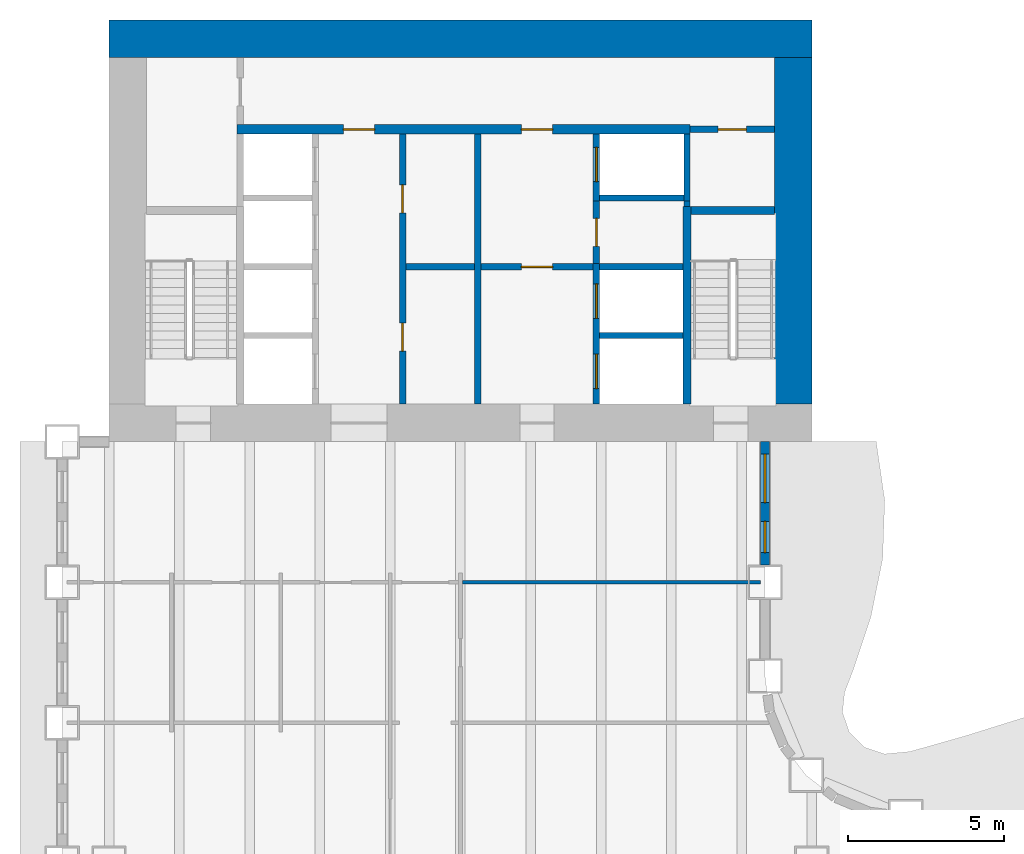
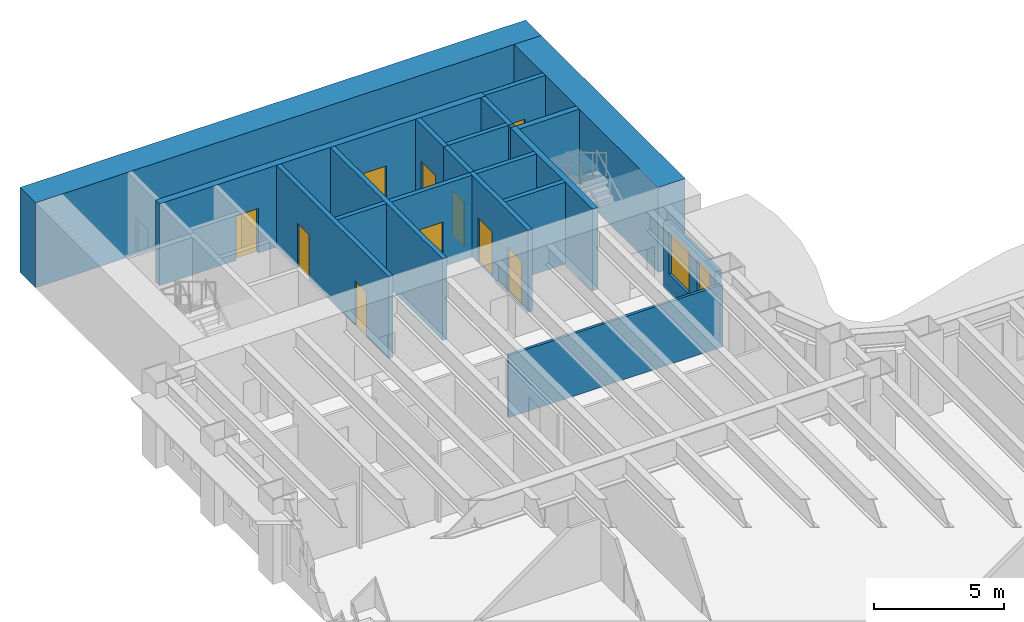
# One storey, part 8 of 15: 20 walls, 10 doors, 2 windows, 12 openings.
"""IFC4 building model written with IfcOpenShell, lengths in metres."""

from ifc_helpers import new_model, si_unit, direction, frame, frame_2d, origin, place, context, subcontext, project, spatial, rectangle, extrude, material, layer, layer_set, type_object, element, fill, save


model = new_model("IFC4")

# Units and contexts
model_context = context("Model", 3, precision=1e-05, world=origin(), true_north=direction((0.0, 1.0)))
body_context = subcontext(model_context, "Body", "Model", "MODEL_VIEW")
ifc_project = project(units=[si_unit("LENGTHUNIT", "METRE"), si_unit("AREAUNIT", "SQUARE_METRE"), si_unit("VOLUMEUNIT", "CUBIC_METRE"), si_unit("PLANEANGLEUNIT", "RADIAN"), si_unit("MASSUNIT", "GRAM", prefix="KILO")], contexts=[model_context])

# Site, building, storey
site_placement = place(None, origin())
site = spatial("IfcSite", under=ifc_project, at=site_placement, CompositionType="ELEMENT")
building_placement = place(site_placement, origin())
building = spatial("IfcBuilding", under=site, at=building_placement, Name="Sennacour Bend Tower", CompositionType="ELEMENT")
storey_placement = place(building_placement, frame((0.0, 0.0, 33.0)))
storey = spatial("IfcBuildingStorey", under=building, at=storey_placement, Name="L06", CompositionType="ELEMENT", Elevation=33.0)

# Walls
ifc_material_1 = material(Name="Concrete C80/95", Category="concrete")
ifc_layer_1 = layer(ifc_material_1, 1.199951171875, Name="Concrete C80/95", Category="concrete")
ifc_layer_set_1 = layer_set([ifc_layer_1], Name="Concrete C80/95")
wall_type_1 = type_object("IfcWallType", Name="Core wall 1200 C80/95", PredefinedType="SHEAR", material=ifc_layer_set_1)
wall_1_placement = place(storey_placement, frame((0.0, 48.89990234375, -0.14990234375), z_axis=(0.0, 0.0, 1.0), x_axis=(1.0, 0.0, 0.0)))
element("IfcWall", 1, at=wall_1_placement, inside=storey, type_object=wall_type_1, Name="Core B wall L06 N", PredefinedType="SHEAR", context=body_context, shape_type="SweptSolid", body=[
    extrude(rectangle(XDim=22.5, YDim=1.199951171875, at=frame_2d((11.25, 0.0))), origin(), (0.0, 0.0, 1.0), 4.0),
])
wall_2_placement = place(storey_placement, frame((21.89990234375, 37.199951171875, -0.14990234375), z_axis=(0.0, 0.0, 1.0), x_axis=(0.0, 1.0, 0.0)))
element("IfcWall", 2, at=wall_2_placement, inside=storey, type_object=wall_type_1, Name="Core B wall L06 E", PredefinedType="SHEAR", context=body_context, shape_type="SweptSolid", body=[
    extrude(rectangle(XDim=11.10009765625, YDim=1.199951171875, at=frame_2d((5.550048828125, 0.0))), origin(), (0.0, 0.0, 1.0), 4.0),
])
ifc_material_2 = material(Name="Plasterboard partition on steel studs", Category="steel")
ifc_layer_2 = layer(ifc_material_2, 0.1201171875, Name="Plasterboard partition on steel studs", Category="steel")
ifc_layer_set_2 = layer_set([ifc_layer_2], Name="Plasterboard partition on steel studs")
wall_type_2 = type_object("IfcWallType", Name="Partition 120", PredefinedType="PARTITIONING", material=ifc_layer_set_2)
wall_3_placement = place(storey_placement, frame((11.31005859375, 31.5, 0.0), z_axis=(0.0, 0.0, 1.0), x_axis=(1.0, 0.0, 0.0)))
element("IfcWall", 3, at=wall_3_placement, inside=storey, type_object=wall_type_2, Name="P-L06-W074ae", PredefinedType="PARTITIONING", context=body_context, shape_type="SweptSolid", body=[
    extrude(rectangle(XDim=9.5400390625, YDim=0.1201171875, at=frame_2d((4.77001953125, 0.0))), origin(), (0.0, 0.0, 1.0), 2.93798828125),
])

# Wall, openings, doors
ifc_material_3 = material(Name="Fire-rated plasterboard partition on steel studs", Category="steel")
ifc_layer_3 = layer(ifc_material_3, 0.199951171875, Name="Fire-rated plasterboard partition on steel studs", Category="steel")
ifc_layer_set_3 = layer_set([ifc_layer_3], Name="Fire-rated plasterboard partition on steel studs")
wall_type_3 = type_object("IfcWallType", Name="Rated partition 200", PredefinedType="PARTITIONING", material=ifc_layer_set_3)
wall_4_placement = place(storey_placement, frame((9.39990234375, 37.199951171875, 0.0), z_axis=(0.0, 0.0, 1.0), x_axis=(0.0, 1.0, 0.0)))
wall_4 = element("IfcWall", 4, at=wall_4_placement, inside=storey, type_object=wall_type_3, Name="P-L06-W014", PredefinedType="PARTITIONING", context=body_context, shape_type="SweptSolid", body=[
    extrude(rectangle(XDim=8.650146484375, YDim=0.199951171875, at=frame_2d((4.3251953125, 0.0))), origin(), (0.0, 0.0, 1.0), 3.85009765625),
])
opening_1_placement = place(wall_4_placement, frame((1.699951171875, 0.0, 0.0)))
opening_1 = element("IfcOpeningElement", 5, at=opening_1_placement, cuts=wall_4, Name="Opening SV", PredefinedType="OPENING", context=body_context, shape_type="SweptSolid", body=[
    extrude(rectangle(XDim=0.89990234375, YDim=2.10009765625, at=frame_2d((0.449951171875, 1.050048828125))), frame((0.0, 0.10986328125, 0.0), z_axis=(0.0, -1.0, 0.0), x_axis=(1.0, 0.0, 0.0)), (0.0, 0.0, 1.0), 0.219970703125),
])
opening_2_placement = place(wall_4_placement, frame((6.125, 0.0, 0.0)))
opening_2 = element("IfcOpeningElement", 6, at=opening_2_placement, cuts=wall_4, Name="Opening SV", PredefinedType="OPENING", context=body_context, shape_type="SweptSolid", body=[
    extrude(rectangle(XDim=0.89990234375, YDim=2.10009765625, at=frame_2d((0.449951171875, 1.050048828125))), frame((0.0, 0.10986328125, 0.0), z_axis=(0.0, -1.0, 0.0), x_axis=(1.0, 0.0, 0.0)), (0.0, 0.0, 1.0), 0.219970703125),
])
ifc_material_4 = material(Name="Painted steel", Category="steel")
door_type_1 = type_object("IfcDoorType", Name="DR-SERVICE-900", OperationType="NOTDEFINED", PredefinedType="DOOR", material=ifc_material_4)
door_1_placement = place(opening_1_placement, origin())
door_1 = element("IfcDoor", 7, at=door_1_placement, inside=storey, type_object=door_type_1, Name="Door", OperationType="SINGLE_SWING_LEFT", OverallHeight=2.10009765625, OverallWidth=0.89990234375, PredefinedType="DOOR", context=body_context, shape_type="SweptSolid", body=[
    extrude(rectangle(XDim=0.89990234375, YDim=2.10009765625, at=frame_2d((0.449951171875, 1.050048828125))), frame((0.0, 0.02490234375, 0.0), z_axis=(0.0, -1.0, 0.0), x_axis=(1.0, 0.0, 0.0)), (0.0, 0.0, 1.0), 0.050048828125),
])
fill(opening_1, door_1)
door_2_placement = place(opening_2_placement, origin())
door_2 = element("IfcDoor", 8, at=door_2_placement, inside=storey, type_object=door_type_1, Name="Door", OperationType="SINGLE_SWING_RIGHT", OverallHeight=2.10009765625, OverallWidth=0.89990234375, PredefinedType="DOOR", context=body_context, shape_type="SweptSolid", body=[
    extrude(rectangle(XDim=0.89990234375, YDim=2.10009765625, at=frame_2d((0.449951171875, 1.050048828125))), frame((0.0, 0.02490234375, 0.0), z_axis=(0.0, -1.0, 0.0), x_axis=(1.0, 0.0, 0.0)), (0.0, 0.0, 1.0), 0.050048828125),
])
fill(opening_2, door_2)

# Wall
wall_5_placement = place(storey_placement, frame((11.800048828125, 37.199951171875, 0.0), z_axis=(0.0, 0.0, 1.0), x_axis=(0.0, 1.0, 0.0)))
element("IfcWall", 9, at=wall_5_placement, inside=storey, type_object=wall_type_3, Name="P-L06-W016", PredefinedType="PARTITIONING", context=body_context, shape_type="SweptSolid", body=[
    extrude(rectangle(XDim=8.650146484375, YDim=0.199951171875, at=frame_2d((4.3251953125, 0.0))), origin(), (0.0, 0.0, 1.0), 3.85009765625),
])

# Wall, opening, door
wall_6_placement = place(storey_placement, frame((15.60009765625, 41.699951171875, 0.0), z_axis=(0.0, 0.0, 1.0), x_axis=(0.0, 1.0, 0.0)))
wall_6 = element("IfcWall", 10, at=wall_6_placement, inside=storey, type_object=wall_type_3, Name="P-L06-W019", PredefinedType="PARTITIONING", context=body_context, shape_type="SweptSolid", body=[
    extrude(rectangle(XDim=2.0, YDim=0.199951171875, at=frame_2d((1.0, 0.0))), origin(), (0.0, 0.0, 1.0), 3.85009765625),
])
opening_3_placement = place(wall_6_placement, frame((0.550048828125, 0.0, 0.0)))
opening_3 = element("IfcOpeningElement", 11, at=opening_3_placement, cuts=wall_6, Name="Opening SV", PredefinedType="OPENING", context=body_context, shape_type="SweptSolid", body=[
    extrude(rectangle(XDim=0.89990234375, YDim=2.10009765625, at=frame_2d((0.449951171875, 1.050048828125))), frame((0.0, 0.10986328125, 0.0), z_axis=(0.0, -1.0, 0.0), x_axis=(1.0, 0.0, 0.0)), (0.0, 0.0, 1.0), 0.219970703125),
])
door_3_placement = place(opening_3_placement, origin())
door_3 = element("IfcDoor", 12, at=door_3_placement, inside=storey, type_object=door_type_1, Name="Door", OperationType="SINGLE_SWING_RIGHT", OverallHeight=2.10009765625, OverallWidth=0.89990234375, PredefinedType="DOOR", context=body_context, shape_type="SweptSolid", body=[
    extrude(rectangle(XDim=0.89990234375, YDim=2.10009765625, at=frame_2d((0.449951171875, 1.050048828125))), frame((0.0, 0.02490234375, 0.0), z_axis=(0.0, -1.0, 0.0), x_axis=(1.0, 0.0, 0.0)), (0.0, 0.0, 1.0), 0.050048828125),
])
fill(opening_3, door_3)

# Walls
wall_7_placement = place(storey_placement, frame((18.5, 43.52490234375, 0.0), z_axis=(0.0, 0.0, 1.0), x_axis=(0.0, 1.0, 0.0)))
element("IfcWall", 13, at=wall_7_placement, inside=storey, type_object=wall_type_3, Name="P-L06-W022", PredefinedType="PARTITIONING", context=body_context, shape_type="SweptSolid", body=[
    extrude(rectangle(XDim=0.175048828125, YDim=0.199951171875, at=frame_2d((0.08740234375, 0.0))), origin(), (0.0, 0.0, 1.0), 3.85009765625),
])
wall_8_placement = place(storey_placement, frame((9.5, 41.60009765625, 0.0), z_axis=(0.0, 0.0, 1.0), x_axis=(1.0, 0.0, 0.0)))
element("IfcWall", 14, at=wall_8_placement, inside=storey, type_object=wall_type_3, Name="P-L06-W079a", PredefinedType="PARTITIONING", context=body_context, shape_type="SweptSolid", body=[
    extrude(rectangle(XDim=2.199951171875, YDim=0.199951171875, at=frame_2d((1.10009765625, 0.0))), origin(), (0.0, 0.0, 1.0), 3.85009765625),
])

# Wall, opening, door
wall_9_placement = place(storey_placement, frame((18.60009765625, 46.0, 0.0), z_axis=(0.0, 0.0, 1.0), x_axis=(1.0, 0.0, 0.0)))
wall_9 = element("IfcWall", 15, at=wall_9_placement, inside=storey, type_object=wall_type_3, Name="P-L06-W086", PredefinedType="PARTITIONING", context=body_context, shape_type="SweptSolid", body=[
    extrude(rectangle(XDim=2.699951171875, YDim=0.199951171875, at=frame_2d((1.35009765625, 0.0))), origin(), (0.0, 0.0, 1.0), 3.85009765625),
])
opening_4_placement = place(wall_9_placement, frame((0.89990234375, 0.0, 0.0)))
opening_4 = element("IfcOpeningElement", 16, at=opening_4_placement, cuts=wall_9, Name="Opening SV", PredefinedType="OPENING", context=body_context, shape_type="SweptSolid", body=[
    extrude(rectangle(XDim=0.89990234375, YDim=2.10009765625, at=frame_2d((0.449951171875, 1.050048828125))), frame((0.0, 0.10986328125, 0.0), z_axis=(0.0, -1.0, 0.0), x_axis=(1.0, 0.0, 0.0)), (0.0, 0.0, 1.0), 0.219970703125),
])
door_4_placement = place(opening_4_placement, origin())
door_4 = element("IfcDoor", 17, at=door_4_placement, inside=storey, type_object=door_type_1, Name="Door", OperationType="SINGLE_SWING_LEFT", OverallHeight=2.10009765625, OverallWidth=0.89990234375, PredefinedType="DOOR", context=body_context, shape_type="SweptSolid", body=[
    extrude(rectangle(XDim=0.89990234375, YDim=2.10009765625, at=frame_2d((0.449951171875, 1.050048828125))), frame((0.0, 0.02490234375, 0.0), z_axis=(0.0, -1.0, 0.0), x_axis=(1.0, 0.0, 0.0)), (0.0, 0.0, 1.0), 0.050048828125),
])
fill(opening_4, door_4)

ifc_layer_4 = layer(ifc_material_3, 0.199951171875, Name="Fire-rated plasterboard partition on steel studs", Category="steel")
ifc_layer_set_4 = layer_set([ifc_layer_4], Name="Fire-rated plasterboard partition on steel studs")
wall_type_4 = type_object("IfcWallType", Name="Rated partition 200 EI 90", PredefinedType="PARTITIONING", material=ifc_layer_set_4)
wall_10_placement = place(storey_placement, frame((11.89990234375, 41.60009765625, 0.0), z_axis=(0.0, 0.0, 1.0), x_axis=(1.0, 0.0, 0.0)))
wall_10 = element("IfcWall", 18, at=wall_10_placement, inside=storey, type_object=wall_type_4, Name="P-L06-W079b", PredefinedType="PARTITIONING", context=body_context, shape_type="SweptSolid", body=[
    extrude(rectangle(XDim=3.60009765625, YDim=0.199951171875, at=frame_2d((1.800048828125, 0.0))), origin(), (0.0, 0.0, 1.0), 3.85009765625),
])
opening_5_placement = place(wall_10_placement, frame((1.300048828125, 0.0, 0.0)))
opening_5 = element("IfcOpeningElement", 19, at=opening_5_placement, cuts=wall_10, Name="Opening FD2", PredefinedType="OPENING", context=body_context, shape_type="SweptSolid", body=[
    extrude(rectangle(XDim=1.0, YDim=2.10009765625, at=frame_2d((0.5, 1.050048828125))), frame((0.0, 0.10986328125, 0.0), z_axis=(0.0, -1.0, 0.0), x_axis=(1.0, 0.0, 0.0)), (0.0, 0.0, 1.0), 0.219970703125),
])
door_type_2 = type_object("IfcDoorType", Name="DR-FFL-1000", OperationType="NOTDEFINED", PredefinedType="DOOR", material=ifc_material_4)
door_5_placement = place(opening_5_placement, origin())
door_5 = element("IfcDoor", 20, at=door_5_placement, inside=storey, type_object=door_type_2, Name="Door", OperationType="SINGLE_SWING_RIGHT", OverallHeight=2.10009765625, OverallWidth=1.0, PredefinedType="DOOR", context=body_context, shape_type="SweptSolid", body=[
    extrude(rectangle(XDim=1.0, YDim=2.10009765625, at=frame_2d((0.5, 1.050048828125))), frame((0.0, 0.02490234375, 0.0), z_axis=(0.0, -1.0, 0.0), x_axis=(1.0, 0.0, 0.0)), (0.0, 0.0, 1.0), 0.050048828125),
])
fill(opening_5, door_5)

# Wall, openings, windows
ifc_material_5 = material(Name="Warm limestone cladding", Category="masonry")
ifc_layer_5 = layer(ifc_material_5, 0.050048828125, Name="Warm limestone cladding", Category="masonry")
ifc_material_6 = material(Name="Precast concrete C40/50", Category="concrete")
ifc_layer_6 = layer(ifc_material_6, 0.25, Name="Precast concrete C40/50", Category="concrete")
ifc_layer_set_5 = layer_set([ifc_layer_5, ifc_layer_6], Name="Precast concrete C40/50 with limestone cladding")
wall_type_5 = type_object("IfcWallType", Name="STONE-CLAD PRECAST SPANDREL 300", PredefinedType="STANDARD", material=ifc_layer_set_5)
wall_11_placement = place(storey_placement, frame((21.0, 32.050048828125, 0.0), z_axis=(0.0, 0.0, 1.0), x_axis=(0.0, 1.0, 0.0)))
wall_11 = element("IfcWall", 21, at=wall_11_placement, inside=storey, type_object=wall_type_5, Name="Stone spandrel and pier wall L06 15.01", PredefinedType="STANDARD", context=body_context, shape_type="SweptSolid", body=[
    extrude(rectangle(XDim=3.949951171875, YDim=0.300048828125, at=frame_2d((1.97509765625, 0.0))), origin(), (0.0, 0.0, 1.0), 3.14404296875),
])
opening_6_placement = place(wall_11_placement, frame((0.39990234375, 0.0, 0.89990234375)))
opening_6 = element("IfcOpeningElement", 22, at=opening_6_placement, cuts=wall_11, Name="Opening W8", PredefinedType="OPENING", context=body_context, shape_type="SweptSolid", body=[
    extrude(rectangle(XDim=1.0, YDim=2.0, at=frame_2d((0.5, 1.0))), frame((0.0, 0.16015625, 0.0), z_axis=(0.0, -1.0, 0.0), x_axis=(1.0, 0.0, 0.0)), (0.0, 0.0, 1.0), 0.320068359375),
])
opening_7_placement = place(wall_11_placement, frame((2.0, 0.0, 0.89990234375)))
opening_7 = element("IfcOpeningElement", 23, at=opening_7_placement, cuts=wall_11, Name="Opening W9", PredefinedType="OPENING", context=body_context, shape_type="SweptSolid", body=[
    extrude(rectangle(XDim=1.550048828125, YDim=2.0, at=frame_2d((0.77490234375, 1.0))), frame((0.0, 0.16015625, 0.0), z_axis=(0.0, -1.0, 0.0), x_axis=(1.0, 0.0, 0.0)), (0.0, 0.0, 1.0), 0.320068359375),
])
ifc_material_7 = material(Name="Clear low-emissivity glass", Category="glass")
window_type_1 = type_object("IfcWindowType", Name="WIN-RIBBON-1000x2000", PartitioningType="SINGLE_PANEL", PredefinedType="WINDOW", material=ifc_material_7)
window_1_placement = place(opening_6_placement, origin())
window_1 = element("IfcWindow", 24, at=window_1_placement, inside=storey, type_object=window_type_1, Name="Ribbon window L06 15.01.0", OverallHeight=2.0, OverallWidth=1.0, PartitioningType="SINGLE_PANEL", PredefinedType="WINDOW", context=body_context, shape_type="SweptSolid", body=[
    extrude(rectangle(XDim=1.0, YDim=2.0, at=frame_2d((0.5, 1.0))), frame((0.0, 0.030029296875, 0.0), z_axis=(0.0, -1.0, 0.0), x_axis=(1.0, 0.0, 0.0)), (0.0, 0.0, 1.0), 0.06005859375),
])
fill(opening_6, window_1)
window_type_2 = type_object("IfcWindowType", Name="WIN-RIBBON-1550x2000", PartitioningType="SINGLE_PANEL", PredefinedType="WINDOW", material=ifc_material_7)
window_2_placement = place(opening_7_placement, origin())
window_2 = element("IfcWindow", 25, at=window_2_placement, inside=storey, type_object=window_type_2, Name="Ribbon window L06 15.01.1", OverallHeight=2.0, OverallWidth=1.550048828125, PartitioningType="SINGLE_PANEL", PredefinedType="WINDOW", context=body_context, shape_type="SweptSolid", body=[
    extrude(rectangle(XDim=1.550048828125, YDim=2.0, at=frame_2d((0.77490234375, 1.0))), frame((0.0, 0.030029296875, 0.0), z_axis=(0.0, -1.0, 0.0), x_axis=(1.0, 0.0, 0.0)), (0.0, 0.0, 1.0), 0.06005859375),
])
fill(opening_7, window_2)

# Wall, openings, doors
ifc_material_8 = material(Name="Concrete C50/60", Category="concrete")
ifc_layer_7 = layer(ifc_material_8, 0.199951171875, Name="Concrete C50/60", Category="concrete")
ifc_layer_set_6 = layer_set([ifc_layer_7], Name="Concrete C50/60")
wall_type_6 = type_object("IfcWallType", Name="Shaft wall 200", PredefinedType="SOLIDWALL", material=ifc_layer_set_6)
wall_12_placement = place(storey_placement, frame((15.60009765625, 37.199951171875, 0.0), z_axis=(0.0, 0.0, 1.0), x_axis=(0.0, 1.0, 0.0)))
wall_12 = element("IfcWall", 26, at=wall_12_placement, inside=storey, type_object=wall_type_6, Name="P-L06-W018", PredefinedType="SOLIDWALL", context=body_context, shape_type="SweptSolid", body=[
    extrude(rectangle(XDim=4.5, YDim=0.199951171875, at=frame_2d((2.25, 0.0))), origin(), (0.0, 0.0, 1.0), 3.85009765625),
])
opening_8_placement = place(wall_12_placement, frame((0.5, 0.0, 0.011962890625)))
opening_8 = element("IfcOpeningElement", 27, at=opening_8_placement, cuts=wall_12, Name="Opening FLD", PredefinedType="OPENING", context=body_context, shape_type="SweptSolid", body=[
    extrude(rectangle(XDim=1.10009765625, YDim=2.10009765625, at=frame_2d((0.550048828125, 1.050048828125))), frame((0.0, 0.10986328125, 0.0), z_axis=(0.0, -1.0, 0.0), x_axis=(1.0, 0.0, 0.0)), (0.0, 0.0, 1.0), 0.219970703125),
])
opening_9_placement = place(wall_12_placement, frame((2.75, 0.0, 0.011962890625)))
opening_9 = element("IfcOpeningElement", 28, at=opening_9_placement, cuts=wall_12, Name="Opening FLD", PredefinedType="OPENING", context=body_context, shape_type="SweptSolid", body=[
    extrude(rectangle(XDim=1.10009765625, YDim=2.10009765625, at=frame_2d((0.550048828125, 1.050048828125))), frame((0.0, 0.10986328125, 0.0), z_axis=(0.0, -1.0, 0.0), x_axis=(1.0, 0.0, 0.0)), (0.0, 0.0, 1.0), 0.219970703125),
])
ifc_material_9 = material(Name="Stainless steel", Category="steel")
door_type_3 = type_object("IfcDoorType", Name="DR-FF-LANDING-1100", OperationType="NOTDEFINED", PredefinedType="DOOR", material=ifc_material_9)
door_6_placement = place(opening_8_placement, origin())
door_6 = element("IfcDoor", 29, at=door_6_placement, inside=storey, type_object=door_type_3, Name="Fire service lift landing door FB1", OperationType="SLIDING_TO_RIGHT", OverallHeight=2.10009765625, OverallWidth=1.10009765625, PredefinedType="DOOR", context=body_context, shape_type="SweptSolid", body=[
    extrude(rectangle(XDim=1.10009765625, YDim=2.10009765625, at=frame_2d((0.550048828125, 1.050048828125))), frame((0.0, 0.02490234375, 0.0), z_axis=(0.0, -1.0, 0.0), x_axis=(1.0, 0.0, 0.0)), (0.0, 0.0, 1.0), 0.050048828125),
])
fill(opening_8, door_6)
door_7_placement = place(opening_9_placement, origin())
door_7 = element("IfcDoor", 30, at=door_7_placement, inside=storey, type_object=door_type_3, Name="Fire service lift landing door FB2", OperationType="SLIDING_TO_LEFT", OverallHeight=2.10009765625, OverallWidth=1.10009765625, PredefinedType="DOOR", context=body_context, shape_type="SweptSolid", body=[
    extrude(rectangle(XDim=1.10009765625, YDim=2.10009765625, at=frame_2d((0.550048828125, 1.050048828125))), frame((0.0, 0.02490234375, 0.0), z_axis=(0.0, -1.0, 0.0), x_axis=(1.0, 0.0, 0.0)), (0.0, 0.0, 1.0), 0.050048828125),
])
fill(opening_9, door_7)

# Wall, opening, door
wall_13_placement = place(storey_placement, frame((15.60009765625, 43.699951171875, 0.0), z_axis=(0.0, 0.0, 1.0), x_axis=(0.0, 1.0, 0.0)))
wall_13 = element("IfcWall", 31, at=wall_13_placement, inside=storey, type_object=wall_type_6, Name="P-L06-W020", PredefinedType="SOLIDWALL", context=body_context, shape_type="SweptSolid", body=[
    extrude(rectangle(XDim=2.150146484375, YDim=0.199951171875, at=frame_2d((1.0751953125, 0.0))), origin(), (0.0, 0.0, 1.0), 3.85009765625),
])
opening_10_placement = place(wall_13_placement, frame((0.625, 0.0, 0.011962890625)))
opening_10 = element("IfcOpeningElement", 32, at=opening_10_placement, cuts=wall_13, Name="Opening LD", PredefinedType="OPENING", context=body_context, shape_type="SweptSolid", body=[
    extrude(rectangle(XDim=1.10009765625, YDim=2.10009765625, at=frame_2d((0.550048828125, 1.050048828125))), frame((0.0, 0.10986328125, 0.0), z_axis=(0.0, -1.0, 0.0), x_axis=(1.0, 0.0, 0.0)), (0.0, 0.0, 1.0), 0.219970703125),
])
door_type_4 = type_object("IfcDoorType", Name="DR-LANDING-1100", OperationType="NOTDEFINED", PredefinedType="DOOR", material=ifc_material_9)
door_8_placement = place(opening_10_placement, origin())
door_8 = element("IfcDoor", 33, at=door_8_placement, inside=storey, type_object=door_type_4, Name="Lift landing door LB5", OperationType="SLIDING_TO_RIGHT", OverallHeight=2.10009765625, OverallWidth=1.10009765625, PredefinedType="DOOR", context=body_context, shape_type="SweptSolid", body=[
    extrude(rectangle(XDim=1.10009765625, YDim=2.10009765625, at=frame_2d((0.550048828125, 1.050048828125))), frame((0.0, 0.02490234375, 0.0), z_axis=(0.0, -1.0, 0.0), x_axis=(1.0, 0.0, 0.0)), (0.0, 0.0, 1.0), 0.050048828125),
])
fill(opening_10, door_8)

# Walls
wall_14_placement = place(storey_placement, frame((18.5, 43.699951171875, 0.0), z_axis=(0.0, 0.0, 1.0), x_axis=(0.0, 1.0, 0.0)))
element("IfcWall", 34, at=wall_14_placement, inside=storey, type_object=wall_type_6, Name="P-L06-W023", PredefinedType="SOLIDWALL", context=body_context, shape_type="SweptSolid", body=[
    extrude(rectangle(XDim=2.150146484375, YDim=0.199951171875, at=frame_2d((1.0751953125, 0.0))), origin(), (0.0, 0.0, 1.0), 3.85009765625),
])
for number, where, z_axis, x_axis, name in (
    (35, (15.699951171875, 39.39990234375, 0.0), (0.0, 0.0, 1.0), (1.0, 0.0, 0.0), "P-L06-W077"),
    (36, (15.699951171875, 41.60009765625, 0.0), (0.0, 0.0, 1.0), (1.0, 0.0, 0.0), "P-L06-W080"),
):
    element("IfcWall", number, at=place(storey_placement, frame(where, z_axis=z_axis, x_axis=x_axis)), inside=storey, type_object=wall_type_6, Name=name, PredefinedType="SOLIDWALL", context=body_context, shape_type="SweptSolid", body=[
        extrude(rectangle(XDim=2.675048828125, YDim=0.199951171875, at=frame_2d((1.33740234375, 0.0))), origin(), (0.0, 0.0, 1.0), 3.85009765625),
    ])
wall_15_placement = place(storey_placement, frame((15.699951171875, 43.800048828125, 0.0), z_axis=(0.0, 0.0, 1.0), x_axis=(1.0, 0.0, 0.0)))
element("IfcWall", 37, at=wall_15_placement, inside=storey, type_object=wall_type_6, Name="P-L06-W084", PredefinedType="SOLIDWALL", context=body_context, shape_type="SweptSolid", body=[
    extrude(rectangle(XDim=2.699951171875, YDim=0.199951171875, at=frame_2d((1.35009765625, 0.0))), origin(), (0.0, 0.0, 1.0), 3.85009765625),
])

# Wall, openings, doors
ifc_material_10 = material(Name="Concrete C60/75", Category="concrete")
ifc_layer_8 = layer(ifc_material_10, 0.300048828125, Name="Concrete C60/75", Category="concrete")
ifc_layer_set_7 = layer_set([ifc_layer_8], Name="Concrete C60/75")
wall_type_7 = type_object("IfcWallType", Name="Spine wall 300", PredefinedType="SHEAR", material=ifc_layer_set_7)
wall_16_placement = place(storey_placement, frame((4.10009765625, 46.0, 0.0), z_axis=(0.0, 0.0, 1.0), x_axis=(1.0, 0.0, 0.0)))
wall_16 = element("IfcWall", 38, at=wall_16_placement, inside=storey, type_object=wall_type_7, Name="P-L06-W085", PredefinedType="SHEAR", context=body_context, shape_type="SweptSolid", body=[
    extrude(rectangle(XDim=14.5, YDim=0.300048828125, at=frame_2d((7.25, 0.0))), origin(), (0.0, 0.0, 1.0), 3.85009765625),
])
opening_11_placement = place(wall_16_placement, frame((3.39990234375, 0.0, 0.0)))
opening_11 = element("IfcOpeningElement", 39, at=opening_11_placement, cuts=wall_16, Name="Opening CD2", PredefinedType="OPENING", context=body_context, shape_type="SweptSolid", body=[
    extrude(rectangle(XDim=1.0, YDim=2.10009765625, at=frame_2d((0.5, 1.050048828125))), frame((0.0, 0.16015625, 0.0), z_axis=(0.0, -1.0, 0.0), x_axis=(1.0, 0.0, 0.0)), (0.0, 0.0, 1.0), 0.320068359375),
])
opening_12_placement = place(wall_16_placement, frame((9.099853515625, 0.0, 0.0)))
opening_12 = element("IfcOpeningElement", 40, at=opening_12_placement, cuts=wall_16, Name="Opening CD2", PredefinedType="OPENING", context=body_context, shape_type="SweptSolid", body=[
    extrude(rectangle(XDim=1.0, YDim=2.10009765625, at=frame_2d((0.5, 1.050048828125))), frame((0.0, 0.16015625, 0.0), z_axis=(0.0, -1.0, 0.0), x_axis=(1.0, 0.0, 0.0)), (0.0, 0.0, 1.0), 0.320068359375),
])
door_type_5 = type_object("IfcDoorType", Name="DR-LOBBY-1000", OperationType="NOTDEFINED", PredefinedType="DOOR", material=ifc_material_4)
door_9_placement = place(opening_11_placement, origin())
door_9 = element("IfcDoor", 41, at=door_9_placement, inside=storey, type_object=door_type_5, Name="Door", OperationType="SINGLE_SWING_LEFT", OverallHeight=2.10009765625, OverallWidth=1.0, PredefinedType="DOOR", context=body_context, shape_type="SweptSolid", body=[
    extrude(rectangle(XDim=1.0, YDim=2.10009765625, at=frame_2d((0.5, 1.050048828125))), frame((0.0, 0.02490234375, 0.0), z_axis=(0.0, -1.0, 0.0), x_axis=(1.0, 0.0, 0.0)), (0.0, 0.0, 1.0), 0.050048828125),
])
fill(opening_11, door_9)
door_10_placement = place(opening_12_placement, origin())
door_10 = element("IfcDoor", 42, at=door_10_placement, inside=storey, type_object=door_type_5, Name="Door", OperationType="SINGLE_SWING_RIGHT", OverallHeight=2.10009765625, OverallWidth=1.0, PredefinedType="DOOR", context=body_context, shape_type="SweptSolid", body=[
    extrude(rectangle(XDim=1.0, YDim=2.10009765625, at=frame_2d((0.5, 1.050048828125))), frame((0.0, 0.02490234375, 0.0), z_axis=(0.0, -1.0, 0.0), x_axis=(1.0, 0.0, 0.0)), (0.0, 0.0, 1.0), 0.050048828125),
])
fill(opening_12, door_10)

# Walls
ifc_layer_9 = layer(ifc_material_10, 0.25, Name="Concrete C60/75", Category="concrete")
ifc_layer_set_8 = layer_set([ifc_layer_9], Name="Concrete C60/75")
wall_type_8 = type_object("IfcWallType", Name="Stair wall 250", PredefinedType="SHEAR", material=ifc_layer_set_8)
wall_17_placement = place(storey_placement, frame((18.5, 37.199951171875, 0.0), z_axis=(0.0, 0.0, 1.0), x_axis=(0.0, 1.0, 0.0)))
element("IfcWall", 43, at=wall_17_placement, inside=storey, type_object=wall_type_8, Name="P-L06-W021", PredefinedType="SHEAR", context=body_context, shape_type="SweptSolid", body=[
    extrude(rectangle(XDim=6.324951171875, YDim=0.25, at=frame_2d((3.16259765625, 0.0))), origin(), (0.0, 0.0, 1.0), 3.85009765625),
])
wall_18_placement = place(storey_placement, frame((18.625, 43.39990234375, 0.0), z_axis=(0.0, 0.0, 1.0), x_axis=(1.0, 0.0, 0.0)))
element("IfcWall", 44, at=wall_18_placement, inside=storey, type_object=wall_type_8, Name="P-L06-W082", PredefinedType="SHEAR", context=body_context, shape_type="SweptSolid", body=[
    extrude(rectangle(XDim=2.675048828125, YDim=0.25, at=frame_2d((1.33740234375, 0.0))), origin(), (0.0, 0.0, 1.0), 3.85009765625),
])

save(model, "model.ifc")
